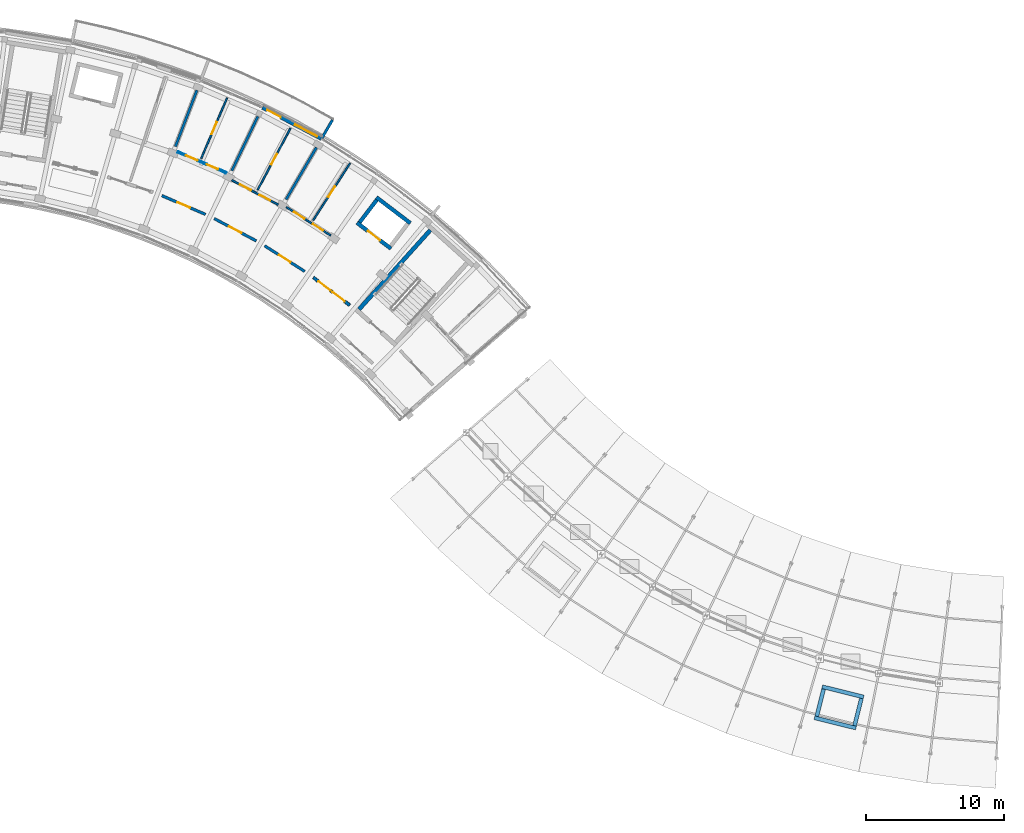
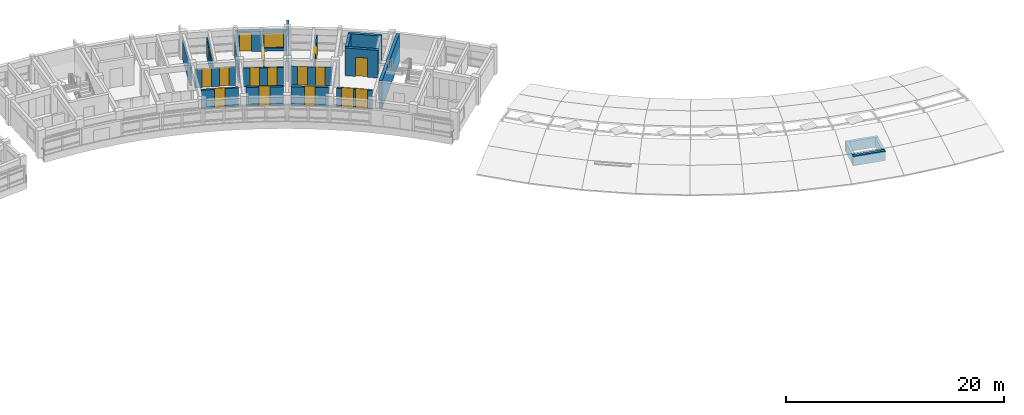
# One storey, part 29 of 40: 23 walls, 16 doors, 1 window, 17 openings.
"""IFC4 building model written with IfcOpenShell, lengths in metres."""

from ifc_helpers import new_model, si_unit, direction, frame, frame_2d, origin, place, context, subcontext, project, spatial, rectangle, extrude, material, layer, layer_set, type_object, element, fill, save


model = new_model("IFC4")

# Units and contexts
model_context = context("Model", 3, precision=1e-05, world=origin(), true_north=direction((0.0, 1.0)))
body_context = subcontext(model_context, "Body", "Model", "MODEL_VIEW")
ifc_project = project(units=[si_unit("LENGTHUNIT", "METRE"), si_unit("AREAUNIT", "SQUARE_METRE"), si_unit("VOLUMEUNIT", "CUBIC_METRE"), si_unit("PLANEANGLEUNIT", "RADIAN"), si_unit("MASSUNIT", "GRAM", prefix="KILO")], contexts=[model_context])

# Site, building, storey
site_placement = place(None, origin())
site = spatial("IfcSite", under=ifc_project, at=site_placement, CompositionType="ELEMENT")
building_placement = place(site_placement, origin())
building = spatial("IfcBuilding", under=site, at=building_placement, Name="Zimvara Arc Housing Community", CompositionType="ELEMENT")
storey_placement = place(building_placement, frame((0.0, 0.0, 32.89990234375)))
storey = spatial("IfcBuildingStorey", under=building, at=storey_placement, Name="L10", CompositionType="ELEMENT", Elevation=32.89990234375)

# Wall
ifc_material_1 = material(Name="Board-Marked Fair-Faced Concrete C35/45", Category="concrete")
ifc_layer_1 = layer(ifc_material_1, 0.195068359375)
ifc_layer_set_1 = layer_set([ifc_layer_1], Name="Board-Marked Fair-Faced Concrete C35/45")
wall_type_1 = type_object("IfcWallType", Name="EWL-PARA-195", PredefinedType="PARAPET", material=ifc_layer_set_1)
wall_1_placement = place(storey_placement, frame((74.961181640625, 95.8134765625, 0.0), z_axis=(0.0, 0.0, 1.0), x_axis=(0.504228145431, 0.863570481985, 0.0)))
element("IfcWall", 1, at=wall_1_placement, inside=storey, type_object=wall_type_1, Name="finwall:blkB:L10:out:b6", PredefinedType="PARAPET", context=body_context, shape_type="SweptSolid", body=[
    extrude(rectangle(XDim=1.530029296875, YDim=0.195068359375, at=frame_2d((0.76513671875, 0.0))), origin(), (0.0, 0.0, 1.0), 2.25),
])

# Wall, openings, door, window
ifc_material_2 = material(Name="Board-Marked Fair-Faced Concrete C35/45", Category="concrete")
ifc_layer_2 = layer(ifc_material_2, 0.278076171875)
ifc_layer_set_2 = layer_set([ifc_layer_2], Name="Board-Marked Fair-Faced Concrete C35/45")
wall_type_2 = type_object("IfcWallType", Name="EWL-VAR-23", PredefinedType="SOLIDWALL", material=ifc_layer_set_2)
wall_2_placement = place(storey_placement, frame((70.6748046875, 98.04150390625, 0.0), z_axis=(0.0, 0.0, 1.0), x_axis=(0.883448093208, -0.468529045639, 0.0)))
wall_2 = element("IfcWall", 2, at=wall_2_placement, inside=storey, type_object=wall_type_2, Name="ewall:blkB:L10:out:b5", PredefinedType="SOLIDWALL", context=body_context, shape_type="SweptSolid", body=[
    extrude(rectangle(XDim=4.80908203125, YDim=0.278076171875, at=frame_2d((2.404541015625, 0.0))), origin(), (0.0, 0.0, 1.0), 2.25),
])
opening_1_placement = place(wall_2_placement, frame((0.39990234375, 0.0, 0.0)))
opening_1 = element("IfcOpeningElement", 3, at=opening_1_placement, cuts=wall_2, Name="Opening ED06", PredefinedType="OPENING", context=body_context, shape_type="SweptSolid", body=[
    extrude(rectangle(XDim=1.10009765625, YDim=2.14990234375, at=frame_2d((0.550048828125, 1.074951171875))), frame((0.0, 0.14892578125, 0.0), z_axis=(0.0, -1.0, 0.0), x_axis=(1.0, 0.0, 0.0)), (0.0, 0.0, 1.0), 0.298095703125),
])
opening_2_placement = place(wall_2_placement, frame((2.658935546875, 0.0, 0.35009765625)))
opening_2 = element("IfcOpeningElement", 4, at=opening_2_placement, cuts=wall_2, Name="Opening W08", PredefinedType="OPENING", context=body_context, shape_type="SweptSolid", body=[
    extrude(rectangle(XDim=1.800048828125, YDim=1.64990234375, at=frame_2d((0.89990234375, 0.824951171875))), frame((0.0, 0.14892578125, 0.0), z_axis=(0.0, -1.0, 0.0), x_axis=(1.0, 0.0, 0.0)), (0.0, 0.0, 1.0), 0.298095703125),
])
ifc_material_3 = material(Name="Anodised Aluminium AW-6063", Category="aluminium")
door_type_1 = type_object("IfcDoorType", Name="EDR-TERR-1100x2150", OperationType="NOTDEFINED", PredefinedType="DOOR", material=ifc_material_3)
door_1_placement = place(opening_1_placement, origin())
door_1 = element("IfcDoor", 5, at=door_1_placement, inside=storey, type_object=door_type_1, Name="edoor:blkB:L10:bal_out:b5", OperationType="SINGLE_SWING_LEFT", OverallHeight=2.14990234375, OverallWidth=1.10009765625, PredefinedType="DOOR", context=body_context, shape_type="SweptSolid", body=[
    extrude(rectangle(XDim=1.10009765625, YDim=2.14990234375, at=frame_2d((0.550048828125, 1.074951171875))), frame((0.0, 0.02490234375, 0.0), z_axis=(0.0, -1.0, 0.0), x_axis=(1.0, 0.0, 0.0)), (0.0, 0.0, 1.0), 0.050048828125),
])
fill(opening_1, door_1)
ifc_material_4 = material(Name="Solar Control Low-E Double Glazing", Category="glass")
window_type = type_object("IfcWindowType", Name="WIN-RES-1800x1650", PartitioningType="TRIPLE_PANEL_VERTICAL", PredefinedType="WINDOW", material=ifc_material_4)
window_placement = place(opening_2_placement, origin())
window = element("IfcWindow", 6, at=window_placement, inside=storey, type_object=window_type, Name="win:blkB:L10:out:b5:balw", OverallHeight=1.64990234375, OverallWidth=1.800048828125, PartitioningType="TRIPLE_PANEL_VERTICAL", PredefinedType="WINDOW", context=body_context, shape_type="SweptSolid", body=[
    extrude(rectangle(XDim=1.800048828125, YDim=1.64990234375, at=frame_2d((0.89990234375, 0.824951171875))), frame((0.0, 0.030029296875, 0.0), z_axis=(0.0, -1.0, 0.0), x_axis=(1.0, 0.0, 0.0)), (0.0, 0.0, 1.0), 0.06005859375),
])
fill(opening_2, window)

# Wall, openings, doors
ifc_material_5 = material(Name="Concrete C35/45", Category="concrete")
ifc_layer_3 = layer(ifc_material_5, 0.2099609375)
ifc_layer_set_3 = layer_set([ifc_layer_3], Name="Concrete C35/45")
wall_type_3 = type_object("IfcWallType", Name="IWL-CCF-210", PredefinedType="SOLIDWALL", material=ifc_layer_set_3)
wall_3_placement = place(storey_placement, frame((74.356689453125, 85.755859375, 0.0), z_axis=(0.0, 0.0, 1.0), x_axis=(0.795498026433, -0.605956178235, 0.0)))
wall_3 = element("IfcWall", 7, at=wall_3_placement, inside=storey, type_object=wall_type_3, Name="iwall:blkB:L10:ll_div:b7", PredefinedType="SOLIDWALL", context=body_context, shape_type="SweptSolid", body=[
    extrude(rectangle(XDim=3.296142578125, YDim=0.2099609375, at=frame_2d((1.64794921875, 0.0))), origin(), (0.0, 0.0, 1.0), 2.080078125),
])
opening_3_placement = place(wall_3_placement, frame((0.449951171875, 0.0, 0.0)))
opening_3 = element("IfcOpeningElement", 8, at=opening_3_placement, cuts=wall_3, Name="Opening FD-CCF1", PredefinedType="OPENING", context=body_context, shape_type="SweptSolid", body=[
    extrude(rectangle(XDim=1.10009765625, YDim=2.14990234375, at=frame_2d((0.550048828125, 1.074951171875))), frame((0.0, 0.114990234375, 0.0), z_axis=(0.0, -1.0, 0.0), x_axis=(1.0, 0.0, 0.0)), (0.0, 0.0, 1.0), 0.22998046875),
])
opening_4_placement = place(wall_3_placement, frame((1.72607421875, 0.0, 0.0)))
opening_4 = element("IfcOpeningElement", 9, at=opening_4_placement, cuts=wall_3, Name="Opening D07", PredefinedType="OPENING", context=body_context, shape_type="SweptSolid", body=[
    extrude(rectangle(XDim=1.1201171875, YDim=2.14990234375, at=frame_2d((0.56005859375, 1.074951171875))), frame((0.0, 0.114990234375, 0.0), z_axis=(0.0, -1.0, 0.0), x_axis=(1.0, 0.0, 0.0)), (0.0, 0.0, 1.0), 0.22998046875),
])
ifc_material_6 = material(Name="Mozambican Hardwood", Category="wood")
door_type_2 = type_object("IfcDoorType", Name="IDR-AMN-1120x2150", OperationType="NOTDEFINED", PredefinedType="DOOR", material=ifc_material_6)
door_2_placement = place(opening_4_placement, origin())
door_2 = element("IfcDoor", 10, at=door_2_placement, inside=storey, type_object=door_type_2, Name="idoor:blkB:L10:rs_in:b7", OperationType="SINGLE_SWING_RIGHT", OverallHeight=2.14990234375, OverallWidth=1.1201171875, PredefinedType="DOOR", context=body_context, shape_type="SweptSolid", body=[
    extrude(rectangle(XDim=1.1201171875, YDim=2.14990234375, at=frame_2d((0.56005859375, 1.074951171875))), frame((0.0, 0.02490234375, 0.0), z_axis=(0.0, -1.0, 0.0), x_axis=(1.0, 0.0, 0.0)), (0.0, 0.0, 1.0), 0.050048828125),
])
fill(opening_4, door_2)
ifc_material_7 = material(Name="Anodised Aluminium AW-6063", Category="aluminium")
door_type_3 = type_object("IfcDoorType", Name="IDR-CCF-1100x2150", OperationType="NOTDEFINED", PredefinedType="DOOR", material=ifc_material_7)
door_3_placement = place(opening_3_placement, origin())
door_3 = element("IfcDoor", 11, at=door_3_placement, inside=storey, type_object=door_type_3, Name="idoor:blkB:L10:ll_in:b7", OperationType="SINGLE_SWING_LEFT", OverallHeight=2.14990234375, OverallWidth=1.10009765625, PredefinedType="DOOR", context=body_context, shape_type="SweptSolid", body=[
    extrude(rectangle(XDim=1.10009765625, YDim=2.14990234375, at=frame_2d((0.550048828125, 1.074951171875))), frame((0.0, 0.02490234375, 0.0), z_axis=(0.0, -1.0, 0.0), x_axis=(1.0, 0.0, 0.0)), (0.0, 0.0, 1.0), 0.050048828125),
])
fill(opening_3, door_3)

# Wall, opening, door
ifc_material_8 = material(Name="Concrete C35/45", Category="concrete")
ifc_layer_4 = layer(ifc_material_8, 0.199951171875)
ifc_layer_set_4 = layer_set([ifc_layer_4], Name="Concrete C35/45")
wall_type_4 = type_object("IfcWallType", Name="IWL-CORR-200", PredefinedType="SOLIDWALL", material=ifc_layer_set_4)
wall_4_placement = place(storey_placement, frame((63.40673828125, 91.6728515625, 0.0), z_axis=(0.0, 0.0, 1.0), x_axis=(0.918718172399, -0.394913813008, 0.0)))
wall_4 = element("IfcWall", 12, at=wall_4_placement, inside=storey, type_object=wall_type_4, Name="iwall:blkB:L10:corr_out:b4", PredefinedType="SOLIDWALL", context=body_context, shape_type="SweptSolid", body=[
    extrude(rectangle(XDim=3.43603515625, YDim=0.199951171875, at=frame_2d((1.718017578125, 0.0))), origin(), (0.0, 0.0, 1.0), 2.080078125),
])
opening_5_placement = place(wall_4_placement, frame((1.22802734375, 0.0, 0.0)))
opening_5 = element("IfcOpeningElement", 13, at=opening_5_placement, cuts=wall_4, Name="Opening FD-FL1", PredefinedType="OPENING", context=body_context, shape_type="SweptSolid", body=[
    extrude(rectangle(XDim=0.97998046875, YDim=2.14990234375, at=frame_2d((0.489990234375, 1.074951171875))), frame((0.0, 0.10986328125, 0.0), z_axis=(0.0, -1.0, 0.0), x_axis=(1.0, 0.0, 0.0)), (0.0, 0.0, 1.0), 0.219970703125),
])
ifc_material_9 = material(Name="Mozambican Hardwood", Category="wood")
door_type_4 = type_object("IfcDoorType", Name="IDR-FLAT-0980x2150", OperationType="NOTDEFINED", PredefinedType="DOOR", material=ifc_material_9)
door_4_placement = place(opening_5_placement, origin())
door_4 = element("IfcDoor", 14, at=door_4_placement, inside=storey, type_object=door_type_4, Name="idoor:blkB:L10:flat:b4", OperationType="SINGLE_SWING_LEFT", OverallHeight=2.14990234375, OverallWidth=0.97998046875, PredefinedType="DOOR", context=body_context, shape_type="SweptSolid", body=[
    extrude(rectangle(XDim=0.97998046875, YDim=2.14990234375, at=frame_2d((0.489990234375, 1.074951171875))), frame((0.0, 0.02490234375, 0.0), z_axis=(0.0, -1.0, 0.0), x_axis=(1.0, 0.0, 0.0)), (0.0, 0.0, 1.0), 0.050048828125),
])
fill(opening_5, door_4)

wall_5_placement = place(storey_placement, frame((67.1943359375, 90.013916015625, 0.0), z_axis=(0.0, 0.0, 1.0), x_axis=(0.883410853063, -0.468599258099, 0.0)))
wall_5 = element("IfcWall", 15, at=wall_5_placement, inside=storey, type_object=wall_type_4, Name="iwall:blkB:L10:corr_out:b5", PredefinedType="SOLIDWALL", context=body_context, shape_type="SweptSolid", body=[
    extrude(rectangle(XDim=3.43603515625, YDim=0.199951171875, at=frame_2d((1.718017578125, 0.0))), origin(), (0.0, 0.0, 1.0), 2.080078125),
])
opening_6_placement = place(wall_5_placement, frame((1.2080078125, 0.0, 0.0)))
opening_6 = element("IfcOpeningElement", 16, at=opening_6_placement, cuts=wall_5, Name="Opening FD-FL2", PredefinedType="OPENING", context=body_context, shape_type="SweptSolid", body=[
    extrude(rectangle(XDim=1.02001953125, YDim=2.14990234375, at=frame_2d((0.510009765625, 1.074951171875))), frame((0.0, 0.10986328125, 0.0), z_axis=(0.0, -1.0, 0.0), x_axis=(1.0, 0.0, 0.0)), (0.0, 0.0, 1.0), 0.219970703125),
])
ifc_material_10 = material(Name="Mozambican Hardwood", Category="wood")
door_type_5 = type_object("IfcDoorType", Name="IDR-FLAT-1020x2150", OperationType="NOTDEFINED", PredefinedType="DOOR", material=ifc_material_10)
door_5_placement = place(opening_6_placement, origin())
door_5 = element("IfcDoor", 17, at=door_5_placement, inside=storey, type_object=door_type_5, Name="idoor:blkB:L10:flat:b5", OperationType="SINGLE_SWING_LEFT", OverallHeight=2.14990234375, OverallWidth=1.02001953125, PredefinedType="DOOR", context=body_context, shape_type="SweptSolid", body=[
    extrude(rectangle(XDim=1.02001953125, YDim=2.14990234375, at=frame_2d((0.510009765625, 1.074951171875))), frame((0.0, 0.02490234375, 0.0), z_axis=(0.0, -1.0, 0.0), x_axis=(1.0, 0.0, 0.0)), (0.0, 0.0, 1.0), 0.050048828125),
])
fill(opening_6, door_5)

wall_6_placement = place(storey_placement, frame((70.833740234375, 88.05126953125, 0.0), z_axis=(0.0, 0.0, 1.0), x_axis=(0.842257205985, -0.539075874963, 0.0)))
wall_6 = element("IfcWall", 18, at=wall_6_placement, inside=storey, type_object=wall_type_4, Name="iwall:blkB:L10:corr_out:b6", PredefinedType="SOLIDWALL", context=body_context, shape_type="SweptSolid", body=[
    extrude(rectangle(XDim=3.43603515625, YDim=0.199951171875, at=frame_2d((1.718017578125, 0.0))), origin(), (0.0, 0.0, 1.0), 2.080078125),
])
opening_7_placement = place(wall_6_placement, frame((1.22802734375, 0.0, 0.0)))
opening_7 = element("IfcOpeningElement", 19, at=opening_7_placement, cuts=wall_6, Name="Opening FD-FL1", PredefinedType="OPENING", context=body_context, shape_type="SweptSolid", body=[
    extrude(rectangle(XDim=0.97998046875, YDim=2.14990234375, at=frame_2d((0.489990234375, 1.074951171875))), frame((0.0, 0.10986328125, 0.0), z_axis=(0.0, -1.0, 0.0), x_axis=(1.0, 0.0, 0.0)), (0.0, 0.0, 1.0), 0.219970703125),
])
door_6_placement = place(opening_7_placement, origin())
door_6 = element("IfcDoor", 20, at=door_6_placement, inside=storey, type_object=door_type_4, Name="idoor:blkB:L10:flat:b6", OperationType="SINGLE_SWING_LEFT", OverallHeight=2.14990234375, OverallWidth=0.97998046875, PredefinedType="DOOR", context=body_context, shape_type="SweptSolid", body=[
    extrude(rectangle(XDim=0.97998046875, YDim=2.14990234375, at=frame_2d((0.489990234375, 1.074951171875))), frame((0.0, 0.02490234375, 0.0), z_axis=(0.0, -1.0, 0.0), x_axis=(1.0, 0.0, 0.0)), (0.0, 0.0, 1.0), 0.050048828125),
])
fill(opening_7, door_6)

# Walls
ifc_material_11 = material(Name="Concrete C35/45", Category="concrete")
ifc_layer_5 = layer(ifc_material_11, 0.18505859375)
ifc_layer_set_5 = layer_set([ifc_layer_5], Name="Concrete C35/45")
wall_type_5 = type_object("IfcWallType", Name="IWL-FLAT-185", PredefinedType="SOLIDWALL", material=ifc_layer_set_5)
for number, where, z_axis, x_axis, name in (
    (21, (64.388671875, 95.220458984375, 0.0), (0.0, 0.0, 1.0), (0.357064016205, 0.934079915388, 0.0), "iwall:blkB:L10:party:b4"),
    (22, (68.462158203125, 93.469482421875, 0.0), (0.0, 0.0, 1.0), (0.432086898897, 0.901831975371, 0.0), "iwall:blkB:L10:party:b5"),
    (23, (72.37939453125, 91.391845703125, 0.0), (0.0, 0.0, 1.0), (0.504216452091, 0.863577309475, 0.0), "iwall:blkB:L10:party:b6"),
):
    element("IfcWall", number, at=place(storey_placement, frame(where, z_axis=z_axis, x_axis=x_axis)), inside=storey, type_object=wall_type_5, Name=name, PredefinedType="SOLIDWALL", context=body_context, shape_type="SweptSolid", body=[
        extrude(rectangle(XDim=4.35009765625, YDim=0.18505859375, at=frame_2d((2.175048828125, 0.0))), origin(), (0.0, 0.0, 1.0), 2.080078125),
    ])

# Wall, opening, door
ifc_material_12 = material(Name="Painted Acoustic Plasterboard")
ifc_layer_6 = layer(ifc_material_12, 0.1201171875)
ifc_layer_set_6 = layer_set([ifc_layer_6], Name="Painted Acoustic Plasterboard")
wall_type_6 = type_object("IfcWallType", Name="IWL-PART-120", PredefinedType="PARTITIONING", material=ifc_layer_set_6)
wall_7_placement = place(storey_placement, frame((66.25341796875, 94.359130859375, 0.0), z_axis=(0.0, 0.0, 1.0), x_axis=(0.392156908456, 0.919898341748, 0.0)))
wall_7 = element("IfcWall", 24, at=wall_7_placement, inside=storey, type_object=wall_type_6, Name="iwall:blkB:L10:bed_div:b4", PredefinedType="PARTITIONING", context=body_context, shape_type="SweptSolid", body=[
    extrude(rectangle(XDim=4.75, YDim=0.1201171875, at=frame_2d((2.375, 0.0))), origin(), (0.0, 0.0, 1.0), 2.080078125),
])
opening_8_placement = place(wall_7_placement, frame((1.89501953125, 0.0, 0.0)))
opening_8 = element("IfcOpeningElement", 25, at=opening_8_placement, cuts=wall_7, Name="Opening D04", PredefinedType="OPENING", context=body_context, shape_type="SweptSolid", body=[
    extrude(rectangle(XDim=0.9599609375, YDim=2.10009765625, at=frame_2d((0.47998046875, 1.050048828125))), frame((0.0, 0.070068359375, 0.0), z_axis=(0.0, -1.0, 0.0), x_axis=(1.0, 0.0, 0.0)), (0.0, 0.0, 1.0), 0.14013671875),
])
ifc_material_13 = material(Name="Mozambican Hardwood", Category="wood")
door_type_6 = type_object("IfcDoorType", Name="IDR-RM-0960x2100", OperationType="NOTDEFINED", PredefinedType="DOOR", material=ifc_material_13)
door_7_placement = place(opening_8_placement, origin())
door_7 = element("IfcDoor", 26, at=door_7_placement, inside=storey, type_object=door_type_6, Name="idoor:blkB:L10:bed_d:b4", OperationType="SINGLE_SWING_RIGHT", OverallHeight=2.10009765625, OverallWidth=0.9599609375, PredefinedType="DOOR", context=body_context, shape_type="SweptSolid", body=[
    extrude(rectangle(XDim=0.9599609375, YDim=2.10009765625, at=frame_2d((0.47998046875, 1.050048828125))), frame((0.0, 0.02490234375, 0.0), z_axis=(0.0, -1.0, 0.0), x_axis=(1.0, 0.0, 0.0)), (0.0, 0.0, 1.0), 0.050048828125),
])
fill(opening_8, door_7)

wall_8_placement = place(storey_placement, frame((70.326416015625, 92.0791015625, 0.0), z_axis=(0.0, 0.0, 1.0), x_axis=(0.469847866249, 0.882747405876, 0.0)))
wall_8 = element("IfcWall", 27, at=wall_8_placement, inside=storey, type_object=wall_type_6, Name="iwall:blkB:L10:bed_div:b5", PredefinedType="PARTITIONING", context=body_context, shape_type="SweptSolid", body=[
    extrude(rectangle(XDim=5.050048828125, YDim=0.1201171875, at=frame_2d((2.52490234375, 0.0))), origin(), (0.0, 0.0, 1.0), 2.080078125),
])
opening_9_placement = place(wall_8_placement, frame((2.10009765625, 0.0, 0.0)))
opening_9 = element("IfcOpeningElement", 28, at=opening_9_placement, cuts=wall_8, Name="Opening D11", PredefinedType="OPENING", context=body_context, shape_type="SweptSolid", body=[
    extrude(rectangle(XDim=0.85009765625, YDim=2.10009765625, at=frame_2d((0.425048828125, 1.050048828125))), frame((0.0, 0.070068359375, 0.0), z_axis=(0.0, -1.0, 0.0), x_axis=(1.0, 0.0, 0.0)), (0.0, 0.0, 1.0), 0.14013671875),
])
ifc_material_14 = material(Name="Mozambican Hardwood", Category="wood")
door_type_7 = type_object("IfcDoorType", Name="IDR-MOD-850x2060", OperationType="NOTDEFINED", PredefinedType="DOOR", material=ifc_material_14)
door_8_placement = place(opening_9_placement, origin())
door_8 = element("IfcDoor", 29, at=door_8_placement, inside=storey, type_object=door_type_7, Name="idoor:blkB:L10:bed_d:b5", OperationType="SINGLE_SWING_RIGHT", OverallHeight=2.10009765625, OverallWidth=0.85009765625, PredefinedType="DOOR", context=body_context, shape_type="SweptSolid", body=[
    extrude(rectangle(XDim=0.85009765625, YDim=2.10009765625, at=frame_2d((0.425048828125, 1.050048828125))), frame((0.0, 0.02490234375, 0.0), z_axis=(0.0, -1.0, 0.0), x_axis=(1.0, 0.0, 0.0)), (0.0, 0.0, 1.0), 0.050048828125),
])
fill(opening_9, door_8)

wall_9_placement = place(storey_placement, frame((74.342041015625, 89.89208984375, 0.0), z_axis=(0.0, 0.0, 1.0), x_axis=(0.542871109654, 0.839816026462, 0.0)))
wall_9 = element("IfcWall", 30, at=wall_9_placement, inside=storey, type_object=wall_type_6, Name="iwall:blkB:L10:bed_div:b6", PredefinedType="PARTITIONING", context=body_context, shape_type="SweptSolid", body=[
    extrude(rectangle(XDim=4.900146484375, YDim=0.1201171875, at=frame_2d((2.4501953125, 0.0))), origin(), (0.0, 0.0, 1.0), 2.080078125),
])
opening_10_placement = place(wall_9_placement, frame((2.0048828125, 0.0, 0.0)))
opening_10 = element("IfcOpeningElement", 31, at=opening_10_placement, cuts=wall_9, Name="Opening D12", PredefinedType="OPENING", context=body_context, shape_type="SweptSolid", body=[
    extrude(rectangle(XDim=0.889892578125, YDim=2.10009765625, at=frame_2d((0.44482421875, 1.050048828125))), frame((0.0, 0.070068359375, 0.0), z_axis=(0.0, -1.0, 0.0), x_axis=(1.0, 0.0, 0.0)), (0.0, 0.0, 1.0), 0.14013671875),
])
ifc_material_15 = material(Name="Mozambican Hardwood", Category="wood")
door_type_8 = type_object("IfcDoorType", Name="IDR-MOD-890x2140", OperationType="NOTDEFINED", PredefinedType="DOOR", material=ifc_material_15)
door_9_placement = place(opening_10_placement, origin())
door_9 = element("IfcDoor", 32, at=door_9_placement, inside=storey, type_object=door_type_8, Name="idoor:blkB:L10:bed_d:b6", OperationType="SINGLE_SWING_RIGHT", OverallHeight=2.10009765625, OverallWidth=0.889892578125, PredefinedType="DOOR", context=body_context, shape_type="SweptSolid", body=[
    extrude(rectangle(XDim=0.889892578125, YDim=2.10009765625, at=frame_2d((0.44482421875, 1.050048828125))), frame((0.0, 0.02490234375, 0.0), z_axis=(0.0, -1.0, 0.0), x_axis=(1.0, 0.0, 0.0)), (0.0, 0.0, 1.0), 0.050048828125),
])
fill(opening_10, door_9)

# Wall, openings, doors
ifc_material_16 = material(Name="Painted Acoustic Plasterboard")
ifc_layer_7 = layer(ifc_material_16, 0.125)
ifc_layer_set_7 = layer_set([ifc_layer_7], Name="Painted Acoustic Plasterboard")
wall_type_7 = type_object("IfcWallType", Name="IWL-PART-125", PredefinedType="PARTITIONING", material=ifc_layer_set_7)
wall_10_placement = place(storey_placement, frame((64.55712890625, 94.82177734375, 0.0), z_axis=(0.0, 0.0, 1.0), x_axis=(0.918726854017, -0.394893615684, 0.0)))
wall_10 = element("IfcWall", 33, at=wall_10_placement, inside=storey, type_object=wall_type_7, Name="iwall:blkB:L10:srv:b4", PredefinedType="PARTITIONING", context=body_context, shape_type="SweptSolid", body=[
    extrude(rectangle(XDim=3.8095703125, YDim=0.125, at=frame_2d((1.90478515625, 0.0))), origin(), (0.0, 0.0, 1.0), 2.080078125),
])
opening_11_placement = place(wall_10_placement, frame((0.64990234375, 0.0, 0.0)))
opening_11 = element("IfcOpeningElement", 34, at=opening_11_placement, cuts=wall_10, Name="Opening D01", PredefinedType="OPENING", context=body_context, shape_type="SweptSolid", body=[
    extrude(rectangle(XDim=0.89990234375, YDim=2.10009765625, at=frame_2d((0.449951171875, 1.050048828125))), frame((0.0, 0.072509765625, 0.0), z_axis=(0.0, -1.0, 0.0), x_axis=(1.0, 0.0, 0.0)), (0.0, 0.0, 1.0), 0.14501953125),
])
opening_12_placement = place(wall_10_placement, frame((2.279541015625, 0.0, 0.0)))
opening_12 = element("IfcOpeningElement", 35, at=opening_12_placement, cuts=wall_10, Name="Opening D05", PredefinedType="OPENING", context=body_context, shape_type="SweptSolid", body=[
    extrude(rectangle(XDim=0.8798828125, YDim=2.10009765625, at=frame_2d((0.43994140625, 1.050048828125))), frame((0.0, 0.072509765625, 0.0), z_axis=(0.0, -1.0, 0.0), x_axis=(1.0, 0.0, 0.0)), (0.0, 0.0, 1.0), 0.14501953125),
])
ifc_material_17 = material(Name="Mozambican Hardwood", Category="wood")
door_type_9 = type_object("IfcDoorType", Name="IDR-RM-0900x2100", OperationType="NOTDEFINED", PredefinedType="DOOR", material=ifc_material_17)
door_10_placement = place(opening_11_placement, origin())
door_10 = element("IfcDoor", 36, at=door_10_placement, inside=storey, type_object=door_type_9, Name="idoor:blkB:L10:kit_liv:b4", OperationType="SINGLE_SWING_RIGHT", OverallHeight=2.10009765625, OverallWidth=0.89990234375, PredefinedType="DOOR", context=body_context, shape_type="SweptSolid", body=[
    extrude(rectangle(XDim=0.89990234375, YDim=2.10009765625, at=frame_2d((0.449951171875, 1.050048828125))), frame((0.0, 0.02490234375, 0.0), z_axis=(0.0, -1.0, 0.0), x_axis=(1.0, 0.0, 0.0)), (0.0, 0.0, 1.0), 0.050048828125),
])
fill(opening_11, door_10)
ifc_material_18 = material(Name="Mozambican Hardwood", Category="wood")
door_type_10 = type_object("IfcDoorType", Name="IDR-WC-0880x2100", OperationType="NOTDEFINED", PredefinedType="DOOR", material=ifc_material_18)
door_11_placement = place(opening_12_placement, origin())
door_11 = element("IfcDoor", 37, at=door_11_placement, inside=storey, type_object=door_type_10, Name="idoor:blkB:L10:bath_d:b4", OperationType="SINGLE_SWING_LEFT", OverallHeight=2.10009765625, OverallWidth=0.8798828125, PredefinedType="DOOR", context=body_context, shape_type="SweptSolid", body=[
    extrude(rectangle(XDim=0.8798828125, YDim=2.10009765625, at=frame_2d((0.43994140625, 1.050048828125))), frame((0.0, 0.02490234375, 0.0), z_axis=(0.0, -1.0, 0.0), x_axis=(1.0, 0.0, 0.0)), (0.0, 0.0, 1.0), 0.050048828125),
])
fill(opening_12, door_11)

wall_11_placement = place(storey_placement, frame((72.4052734375, 90.841552734375, 0.0), z_axis=(0.0, 0.0, 1.0), x_axis=(0.842271400662, -0.539053696423, 0.0)))
wall_11 = element("IfcWall", 38, at=wall_11_placement, inside=storey, type_object=wall_type_7, Name="iwall:blkB:L10:srv:b6", PredefinedType="PARTITIONING", context=body_context, shape_type="SweptSolid", body=[
    extrude(rectangle(XDim=3.797119140625, YDim=0.125, at=frame_2d((1.8984375, 0.0))), origin(), (0.0, 0.0, 1.0), 2.080078125),
])
opening_13_placement = place(wall_11_placement, frame((0.64990234375, 0.0, 0.0)))
opening_13 = element("IfcOpeningElement", 39, at=opening_13_placement, cuts=wall_11, Name="Opening D01", PredefinedType="OPENING", context=body_context, shape_type="SweptSolid", body=[
    extrude(rectangle(XDim=0.89990234375, YDim=2.10009765625, at=frame_2d((0.449951171875, 1.050048828125))), frame((0.0, 0.072509765625, 0.0), z_axis=(0.0, -1.0, 0.0), x_axis=(1.0, 0.0, 0.0)), (0.0, 0.0, 1.0), 0.14501953125),
])
opening_14_placement = place(wall_11_placement, frame((2.267333984375, 0.0, 0.0)))
opening_14 = element("IfcOpeningElement", 40, at=opening_14_placement, cuts=wall_11, Name="Opening D05", PredefinedType="OPENING", context=body_context, shape_type="SweptSolid", body=[
    extrude(rectangle(XDim=0.8798828125, YDim=2.10009765625, at=frame_2d((0.43994140625, 1.050048828125))), frame((0.0, 0.072509765625, 0.0), z_axis=(0.0, -1.0, 0.0), x_axis=(1.0, 0.0, 0.0)), (0.0, 0.0, 1.0), 0.14501953125),
])
door_12_placement = place(opening_13_placement, origin())
door_12 = element("IfcDoor", 41, at=door_12_placement, inside=storey, type_object=door_type_9, Name="idoor:blkB:L10:kit_liv:b6", OperationType="SINGLE_SWING_RIGHT", OverallHeight=2.10009765625, OverallWidth=0.89990234375, PredefinedType="DOOR", context=body_context, shape_type="SweptSolid", body=[
    extrude(rectangle(XDim=0.89990234375, YDim=2.10009765625, at=frame_2d((0.449951171875, 1.050048828125))), frame((0.0, 0.02490234375, 0.0), z_axis=(0.0, -1.0, 0.0), x_axis=(1.0, 0.0, 0.0)), (0.0, 0.0, 1.0), 0.050048828125),
])
fill(opening_13, door_12)
door_13_placement = place(opening_14_placement, origin())
door_13 = element("IfcDoor", 42, at=door_13_placement, inside=storey, type_object=door_type_10, Name="idoor:blkB:L10:bath_d:b6", OperationType="SINGLE_SWING_LEFT", OverallHeight=2.10009765625, OverallWidth=0.8798828125, PredefinedType="DOOR", context=body_context, shape_type="SweptSolid", body=[
    extrude(rectangle(XDim=0.8798828125, YDim=2.10009765625, at=frame_2d((0.43994140625, 1.050048828125))), frame((0.0, 0.02490234375, 0.0), z_axis=(0.0, -1.0, 0.0), x_axis=(1.0, 0.0, 0.0)), (0.0, 0.0, 1.0), 0.050048828125),
])
fill(opening_14, door_13)

ifc_material_19 = material(Name="Painted Acoustic Plasterboard")
ifc_layer_8 = layer(ifc_material_19, 0.1298828125)
ifc_layer_set_8 = layer_set([ifc_layer_8], Name="Painted Acoustic Plasterboard")
wall_type_8 = type_object("IfcWallType", Name="IWL-PART-130", PredefinedType="PARTITIONING", material=ifc_layer_set_8)
wall_12_placement = place(storey_placement, frame((68.468017578125, 92.787841796875, 0.0), z_axis=(0.0, 0.0, 1.0), x_axis=(0.883450371448, -0.468524749814, 0.0)))
wall_12 = element("IfcWall", 43, at=wall_12_placement, inside=storey, type_object=wall_type_8, Name="iwall:blkB:L10:srv:b5", PredefinedType="PARTITIONING", context=body_context, shape_type="SweptSolid", body=[
    extrude(rectangle(XDim=3.78515625, YDim=0.1298828125, at=frame_2d((1.892578125, 0.0))), origin(), (0.0, 0.0, 1.0), 2.080078125),
])
opening_15_placement = place(wall_12_placement, frame((0.64990234375, 0.0, 0.0)))
opening_15 = element("IfcOpeningElement", 44, at=opening_15_placement, cuts=wall_12, Name="Opening D01", PredefinedType="OPENING", context=body_context, shape_type="SweptSolid", body=[
    extrude(rectangle(XDim=0.89990234375, YDim=2.10009765625, at=frame_2d((0.449951171875, 1.050048828125))), frame((0.0, 0.074951171875, 0.0), z_axis=(0.0, -1.0, 0.0), x_axis=(1.0, 0.0, 0.0)), (0.0, 0.0, 1.0), 0.14990234375),
])
opening_16_placement = place(wall_12_placement, frame((2.255126953125, 0.0, 0.0)))
opening_16 = element("IfcOpeningElement", 45, at=opening_16_placement, cuts=wall_12, Name="Opening D05", PredefinedType="OPENING", context=body_context, shape_type="SweptSolid", body=[
    extrude(rectangle(XDim=0.8798828125, YDim=2.10009765625, at=frame_2d((0.43994140625, 1.050048828125))), frame((0.0, 0.074951171875, 0.0), z_axis=(0.0, -1.0, 0.0), x_axis=(1.0, 0.0, 0.0)), (0.0, 0.0, 1.0), 0.14990234375),
])
door_14_placement = place(opening_15_placement, origin())
door_14 = element("IfcDoor", 46, at=door_14_placement, inside=storey, type_object=door_type_9, Name="idoor:blkB:L10:kit_liv:b5", OperationType="SINGLE_SWING_RIGHT", OverallHeight=2.10009765625, OverallWidth=0.89990234375, PredefinedType="DOOR", context=body_context, shape_type="SweptSolid", body=[
    extrude(rectangle(XDim=0.89990234375, YDim=2.10009765625, at=frame_2d((0.449951171875, 1.050048828125))), frame((0.0, 0.02490234375, 0.0), z_axis=(0.0, -1.0, 0.0), x_axis=(1.0, 0.0, 0.0)), (0.0, 0.0, 1.0), 0.050048828125),
])
fill(opening_15, door_14)
door_15_placement = place(opening_16_placement, origin())
door_15 = element("IfcDoor", 47, at=door_15_placement, inside=storey, type_object=door_type_10, Name="idoor:blkB:L10:bath_d:b5", OperationType="SINGLE_SWING_LEFT", OverallHeight=2.10009765625, OverallWidth=0.8798828125, PredefinedType="DOOR", context=body_context, shape_type="SweptSolid", body=[
    extrude(rectangle(XDim=0.8798828125, YDim=2.10009765625, at=frame_2d((0.43994140625, 1.050048828125))), frame((0.0, 0.02490234375, 0.0), z_axis=(0.0, -1.0, 0.0), x_axis=(1.0, 0.0, 0.0)), (0.0, 0.0, 1.0), 0.050048828125),
])
fill(opening_16, door_15)

# Wall, opening, door
ifc_material_20 = material(Name="Concrete C40/50", Category="concrete")
ifc_layer_9 = layer(ifc_material_20, 0.280029296875)
ifc_layer_set_9 = layer_set([ifc_layer_9], Name="Concrete C40/50")
wall_type_9 = type_object("IfcWallType", Name="WL-CORE-280", PredefinedType="SHEAR", material=ifc_layer_set_9)
wall_13_placement = place(storey_placement, frame((79.96142578125, 87.84375, 0.0), z_axis=(0.0, 0.0, 1.0), x_axis=(-0.795464365424, 0.606000365793, 0.0)))
wall_13 = element("IfcWall", 48, at=wall_13_placement, inside=storey, type_object=wall_type_9, Name="lwall:LP-B2:L10:front", PredefinedType="SHEAR", context=body_context, shape_type="SweptSolid", body=[
    extrude(rectangle(XDim=3.090087890625, YDim=0.280029296875, at=frame_2d((1.544921875, 0.0))), origin(), (0.0, 0.0, 1.0), 3.10009765625),
])
opening_17_placement = place(wall_13_placement, frame((0.9951171875, 0.0, 0.0)))
opening_17 = element("IfcOpeningElement", 49, at=opening_17_placement, cuts=wall_13, Name="Opening LD-LP-B2", PredefinedType="OPENING", context=body_context, shape_type="SweptSolid", body=[
    extrude(rectangle(XDim=1.10009765625, YDim=2.14990234375, at=frame_2d((0.550048828125, 1.074951171875))), frame((0.0, 0.14990234375, 0.0), z_axis=(0.0, -1.0, 0.0), x_axis=(1.0, 0.0, 0.0)), (0.0, 0.0, 1.0), 0.300048828125),
])
ifc_material_21 = material(Name="Anodised Aluminium AW-6063", Category="aluminium")
door_type_11 = type_object("IfcDoorType", Name="IDR-LD-1100x2150", OperationType="DOUBLE_DOOR_SLIDING", PredefinedType="DOOR", material=ifc_material_21)
door_16_placement = place(opening_17_placement, origin())
door_16 = element("IfcDoor", 50, at=door_16_placement, inside=storey, type_object=door_type_11, Name="Lift LP-B2 Sliding Landing Door L10", OperationType="DOUBLE_DOOR_SLIDING", OverallHeight=2.14990234375, OverallWidth=1.10009765625, PredefinedType="DOOR", context=body_context, shape_type="SweptSolid", body=[
    extrude(rectangle(XDim=1.10009765625, YDim=2.14990234375, at=frame_2d((0.550048828125, 1.074951171875))), frame((0.0, 0.02490234375, 0.0), z_axis=(0.0, -1.0, 0.0), x_axis=(1.0, 0.0, 0.0)), (0.0, 0.0, 1.0), 0.050048828125),
])
fill(opening_17, door_16)

# Walls
wall_14_placement = place(storey_placement, frame((81.361083984375, 89.681396484375, 0.0), z_axis=(0.0, 0.0, 1.0), x_axis=(-0.795502452183, 0.605950368076, 0.0)))
element("IfcWall", 51, at=wall_14_placement, inside=storey, type_object=wall_type_9, Name="lwall:LP-B2:L10:back", PredefinedType="SHEAR", context=body_context, shape_type="SweptSolid", body=[
    extrude(rectangle(XDim=3.08984375, YDim=0.280029296875, at=frame_2d((1.544921875, 0.0))), origin(), (0.0, 0.0, 1.0), 3.10009765625),
])
wall_15_placement = place(storey_placement, frame((77.699462890625, 89.742919921875, 0.0), z_axis=(0.0, 0.0, 1.0), x_axis=(0.606025097418, 0.795445523779, 0.0)))
element("IfcWall", 52, at=wall_15_placement, inside=storey, type_object=wall_type_9, Name="lwall:LP-B2:L10:right", PredefinedType="SHEAR", context=body_context, shape_type="SweptSolid", body=[
    extrude(rectangle(XDim=2.030029296875, YDim=0.280029296875, at=frame_2d((1.01513671875, 0.0))), origin(), (0.0, 0.0, 1.0), 3.10009765625),
])
for number, where, z_axis, x_axis, name in (
    (53, (111.10791015625, 56.1962890625, 0.0), (0.0, 0.0, 1.0), (0.970706856107, -0.240266933861, 0.0), "lwall:LP-C2:L10:ov_front"),
    (54, (110.552978515625, 53.953857421875, 0.0), (0.0, 0.0, 1.0), (0.970725280816, -0.240192483614, 0.0), "lwall:LP-C2:L10:ov_back"),
):
    element("IfcWall", number, at=place(storey_placement, frame(where, z_axis=z_axis, x_axis=x_axis)), inside=storey, type_object=wall_type_9, Name=name, PredefinedType="SHEAR", context=body_context, shape_type="SweptSolid", body=[
        extrude(rectangle(XDim=3.090087890625, YDim=0.280029296875, at=frame_2d((1.544921875, 0.0))), origin(), (0.0, 0.0, 1.0), 1.10009765625),
    ])
wall_16_placement = place(storey_placement, frame((111.210205078125, 56.026611328125, 0.0), z_axis=(0.0, 0.0, 1.0), x_axis=(-0.240186044774, -0.970726873995, 0.0)))
element("IfcWall", 55, at=wall_16_placement, inside=storey, type_object=wall_type_9, Name="lwall:LP-C2:L10:ov_left", PredefinedType="SHEAR", context=body_context, shape_type="SweptSolid", body=[
    extrude(rectangle(XDim=2.02978515625, YDim=0.280029296875, at=frame_2d((1.014892578125, 0.0))), origin(), (0.0, 0.0, 1.0), 1.10009765625),
])
wall_17_placement = place(storey_placement, frame((113.93798828125, 55.3515625, 0.0), z_axis=(0.0, 0.0, 1.0), x_axis=(-0.2402993748, -0.970698825832, 0.0)))
element("IfcWall", 56, at=wall_17_placement, inside=storey, type_object=wall_type_9, Name="lwall:LP-C2:L10:ov_right", PredefinedType="SHEAR", context=body_context, shape_type="SweptSolid", body=[
    extrude(rectangle(XDim=2.030029296875, YDim=0.280029296875, at=frame_2d((1.01513671875, 0.0))), origin(), (0.0, 0.0, 1.0), 1.10009765625),
])
ifc_material_22 = material(Name="Concrete C40/50", Category="concrete")
ifc_layer_10 = layer(ifc_material_22, 0.300048828125)
ifc_layer_set_10 = layer_set([ifc_layer_10], Name="Concrete C40/50")
wall_type_10 = type_object("IfcWallType", Name="WL-CORE-300", PredefinedType="SHEAR", material=ifc_layer_set_10)
wall_18_placement = place(storey_placement, frame((77.655029296875, 83.461181640625, 0.0), z_axis=(0.0, 0.0, 1.0), x_axis=(0.668868253964, 0.743380964808, 0.0)))
element("IfcWall", 57, at=wall_18_placement, inside=storey, type_object=wall_type_10, Name="cwall:ST-B2:L10:right", PredefinedType="SHEAR", context=body_context, shape_type="SweptSolid", body=[
    extrude(rectangle(XDim=7.68994140625, YDim=0.300048828125, at=frame_2d((3.844970703125, 0.0))), origin(), (0.0, 0.0, 1.0), 3.10009765625),
])

save(model, "model.ifc")
